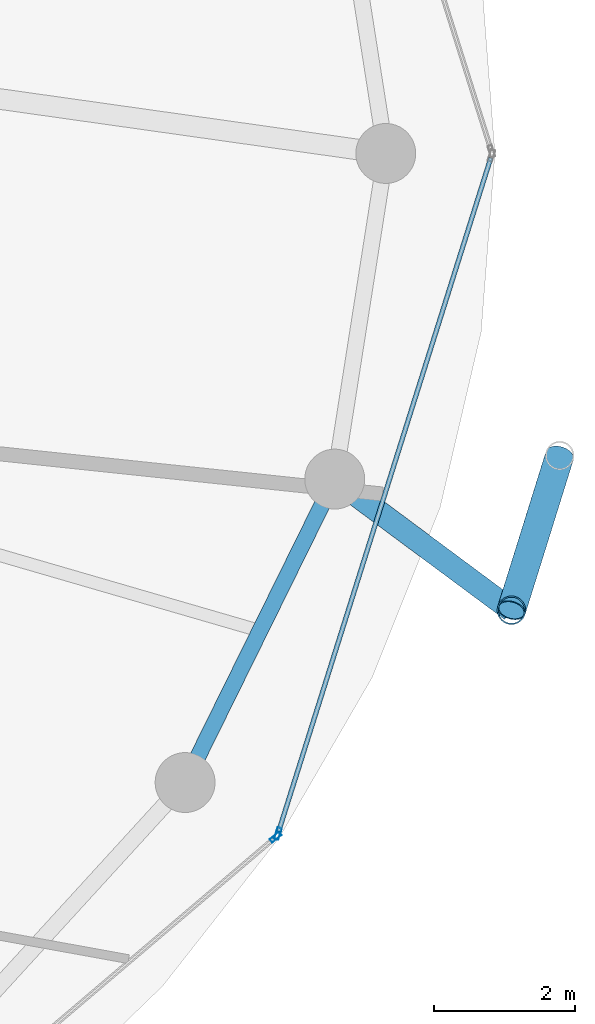
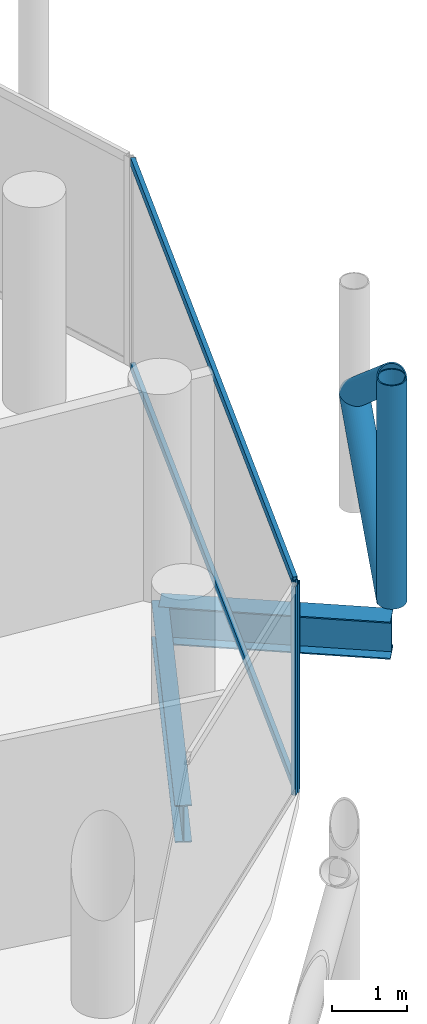
# One storey, part 13 of 27: 7 members, 2 beams, 2 elements without a shape of their own.
"""IFC4 building model written with IfcOpenShell, lengths in metres."""

from ifc_helpers import new_model, si_unit, direction, frame, origin, origin_2d, place, context, subcontext, project, spatial, hollow_rectangle, hollow_circle, i_section, extrude, material, layer, layer_set, material_profile, profile_set, type_object, element, aggregate, save


model = new_model("IFC4")

# Units and contexts
model_context = context("Model", 3, precision=1e-05, world=origin(), true_north=direction((0.0, 1.0)))
body_context = subcontext(model_context, "Body", "Model", "MODEL_VIEW")
ifc_project = project(units=[si_unit("LENGTHUNIT", "METRE"), si_unit("AREAUNIT", "SQUARE_METRE"), si_unit("VOLUMEUNIT", "CUBIC_METRE"), si_unit("PLANEANGLEUNIT", "RADIAN"), si_unit("MASSUNIT", "GRAM", prefix="KILO")], contexts=[model_context])

# Site, building, storey
site_placement = place(None, origin())
site = spatial("IfcSite", under=ifc_project, at=site_placement, CompositionType="ELEMENT")
building_placement = place(site_placement, origin())
building = spatial("IfcBuilding", under=site, at=building_placement, Name="Nuhasar Tower", CompositionType="ELEMENT")
storey_placement = place(building_placement, frame((0.0, 0.0, 244.64990234375)))
storey = spatial("IfcBuildingStorey", under=building, at=storey_placement, Name="L60", CompositionType="ELEMENT", Elevation=244.64990234375)

# Beams
ifc_material_1 = material(Name="Steel S355", Category="steel")
ifc_material_profile_1 = material_profile(ifc_material_1, i_section(OverallWidth=0.22802734375, OverallDepth=0.60791015625, WebThickness=0.01123046875, FlangeThickness=0.017333984375, at=origin_2d()), Name="W24X76")
ifc_profile_set_1 = profile_set([ifc_material_profile_1], Name="Steel S355")
beam_type_1 = type_object("IfcBeamType", Name="BM-RING-W24X76", PredefinedType="SPANDREL", material=ifc_profile_set_1)
beam_1_placement = place(storey_placement, frame((57.403076171875, 17.875, -0.5439453125), z_axis=(0.442262779282, 0.896885518928, 0.0), x_axis=(-0.896885518928, 0.442262779282, 0.0)))
element("IfcBeam", 1, at=beam_1_placement, inside=storey, type_object=beam_type_1, Name="L60 Perimeter Ring Spandrel 23", PredefinedType="SPANDREL", context=body_context, shape_type="SweptSolid", body=[
    extrude(i_section(OverallWidth=0.22802734375, OverallDepth=0.60791015625, WebThickness=0.01123046875, FlangeThickness=0.017333984375, at=origin_2d()), origin(), (0.0, 0.0, 1.0), 4.7998046875),
])
ifc_material_profile_2 = material_profile(ifc_material_1, i_section(OverallWidth=0.323974609375, OverallDepth=0.611083984375, WebThickness=0.0126953125, FlangeThickness=0.01904296875, at=origin_2d()), Name="W24X104")
ifc_profile_set_2 = profile_set([ifc_material_profile_2], Name="Steel S355")
beam_type_2 = type_object("IfcBeamType", Name="BM-TIE-W24X104", PredefinedType="BEAM", material=ifc_profile_set_2)
beam_2_placement = place(storey_placement, frame((59.52587890625, 22.179931640625, -0.544921875), z_axis=(0.802983345014, -0.596001466131, 0.0), x_axis=(0.596001466131, 0.802983345014, 0.0)))
element("IfcBeam", 2, at=beam_2_placement, inside=storey, type_object=beam_type_2, Name="L60 Exoskeleton Node Tie Beam 12", PredefinedType="BEAM", context=body_context, shape_type="SweptSolid", body=[
    extrude(i_section(OverallWidth=0.323974609375, OverallDepth=0.611083984375, WebThickness=0.0126953125, FlangeThickness=0.01904296875, at=origin_2d()), origin(), (0.0, 0.0, 1.0), 3.122314453125),
])

# Curtain wall, member
ifc_material_2 = material(Name="Aluminium 6063-T6", Category="aluminium")
ifc_layer = layer(ifc_material_2, 0.18994140625)
ifc_layer_set = layer_set([ifc_layer], Name="Aluminium 6063-T6")
curtain_wall_type = type_object("IfcCurtainWallType", Name="CW-Z3-RES", PredefinedType="NOTDEFINED", material=ifc_layer_set)
curtain_wall_1_placement = place(storey_placement, origin())
curtain_wall_1 = element("IfcCurtainWall", 3, at=curtain_wall_1_placement, inside=storey, type_object=curtain_wall_type, Name="L60 Unitised Curtain Wall 11", PredefinedType="NOTDEFINED")
ifc_material_profile_3 = material_profile(ifc_material_2, hollow_rectangle(XDim=0.06494140625, YDim=0.169921875, WallThickness=0.0048828125, at=origin_2d()), Name="CWM-4")
ifc_profile_set_3 = profile_set([ifc_material_profile_3], Name="Aluminium 6063-T6")
member_type_1 = type_object("IfcMemberType", Name="CW-MUL-S4", PredefinedType="MULLION", material=ifc_profile_set_3)
member_1_placement = place(storey_placement, frame((58.686279296875, 17.098876953125, 0.0), z_axis=(0.0, 0.0, 1.0), x_axis=(-0.64789521578, 0.761729472562, 0.0)))
member_1 = element("IfcMember", 4, at=member_1_placement, type_object=member_type_1, Name="CW-Z3 mullion 2", PredefinedType="MULLION", context=body_context, shape_type="SweptSolid", body=[
    extrude(hollow_rectangle(XDim=0.06494140625, YDim=0.169921875, WallThickness=0.0048828125, at=origin_2d()), origin(), (0.0, 0.0, 1.0), 3.41015625),
])
aggregate(curtain_wall_1, [member_1])

# Curtain wall, members
curtain_wall_2_placement = place(storey_placement, origin())
curtain_wall_2 = element("IfcCurtainWall", 5, at=curtain_wall_2_placement, inside=storey, type_object=curtain_wall_type, Name="L60 Unitised Curtain Wall 12", PredefinedType="NOTDEFINED")
member_2_placement = place(storey_placement, frame((58.720703125, 17.15087890625, 0.0), z_axis=(0.0, 0.0, 1.0), x_axis=(-0.95380429279, 0.30042864553, 0.0)))
member_2 = element("IfcMember", 6, at=member_2_placement, type_object=member_type_1, Name="CW-Z3 mullion 1", PredefinedType="MULLION", context=body_context, shape_type="SweptSolid", body=[
    extrude(hollow_rectangle(XDim=0.06494140625, YDim=0.169921875, WallThickness=0.0048828125, at=origin_2d()), origin(), (0.0, 0.0, 1.0), 3.41015625),
])
ifc_material_profile_4 = material_profile(ifc_material_2, hollow_rectangle(XDim=0.06494140625, YDim=0.139892578125, WallThickness=0.00439453125, at=origin_2d()), Name="CWT-4")
ifc_profile_set_4 = profile_set([ifc_material_profile_4], Name="Aluminium 6063-T6")
member_type_2 = type_object("IfcMemberType", Name="CW-TRN-S4", PredefinedType="USERDEFINED", material=ifc_profile_set_4)
member_3_placement = place(storey_placement, frame((58.73046875, 17.181884765625, 0.03271484375), z_axis=(0.300430390604, 0.953803743126, 0.0), x_axis=(-0.953803743126, 0.300430390604, 0.0)))
member_3 = element("IfcMember", 7, at=member_3_placement, type_object=member_type_2, Name="CW-Z3 transom 1.1", ObjectType="TRANSOM", PredefinedType="USERDEFINED", context=body_context, shape_type="SweptSolid", body=[
    extrude(hollow_rectangle(XDim=0.06494140625, YDim=0.139892578125, WallThickness=0.00439453125, at=origin_2d()), origin(), (0.0, 0.0, 1.0), 10.01904296875),
])
member_4_placement = place(storey_placement, frame((58.73046875, 17.181884765625, 3.377685546875), z_axis=(0.300430390604, 0.953803743126, 0.0), x_axis=(-0.953803743126, 0.300430390604, 0.0)))
member_4 = element("IfcMember", 8, at=member_4_placement, type_object=member_type_2, Name="CW-Z3 transom 1.2", ObjectType="TRANSOM", PredefinedType="USERDEFINED", context=body_context, shape_type="SweptSolid", body=[
    extrude(hollow_rectangle(XDim=0.06494140625, YDim=0.139892578125, WallThickness=0.00439453125, at=origin_2d()), origin(), (0.0, 0.0, 1.0), 10.01904296875),
])
aggregate(curtain_wall_2, [member_2, member_3, member_4])

# Members
ifc_material_3 = material(Name="Steel S460", Category="steel")
ifc_material_profile_5 = material_profile(ifc_material_3, hollow_circle(Radius=0.203125, WallThickness=0.01904296875, at=origin_2d()), Name="HSS406.4X19.1")
ifc_profile_set_5 = profile_set([ifc_material_profile_5], Name="Steel S460")
member_type_3 = type_object("IfcMemberType", Name="EXO-BRONZE-406", PredefinedType="BRACE", material=ifc_profile_set_5)
member_5_placement = place(storey_placement, frame((62.032958984375, 20.319091796875, 0.0), z_axis=(0.0, 0.0, 1.0), x_axis=(1.0, 0.0, 0.0)))
element("IfcMember", 9, at=member_5_placement, inside=storey, type_object=member_type_3, Name="L60 Exoskeleton Chord Column EC-12A", PredefinedType="BRACE", context=body_context, shape_type="SweptSolid", body=[
    extrude(hollow_circle(Radius=0.203125, WallThickness=0.01904296875, at=origin_2d()), origin(), (0.0, 0.0, 1.0), 3.650146484375),
])
for number, where, z_axis, x_axis, name in (
    (10, (62.032958984375, 20.319091796875, 0.0), (0.233360356896, 0.747651321632, 0.621739853228), (-0.954581948223, 0.297948492404, 0.0), "L60 Bronze Diagrid Brace W1-12"),
    (11, (62.718017578125, 22.513916015625, 1.8251953125), (-0.233372423355, -0.747689980743, 0.621688832709), (0.954581948223, -0.297948492404, 0.0), "L60 Bronze Diagrid Brace W2-12"),
):
    element("IfcMember", number, at=place(storey_placement, frame(where, z_axis=z_axis, x_axis=x_axis)), inside=storey, type_object=member_type_3, Name=name, PredefinedType="BRACE", context=body_context, shape_type="SweptSolid", body=[
        extrude(hollow_circle(Radius=0.203125, WallThickness=0.01904296875, at=origin_2d()), origin(), (0.0, 0.0, 1.0), 2.935546875),
    ])

save(model, "model.ifc")
